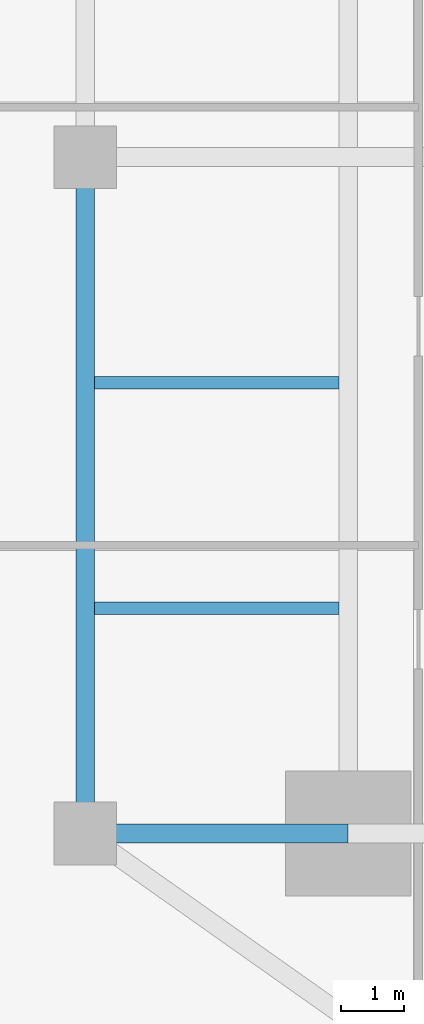
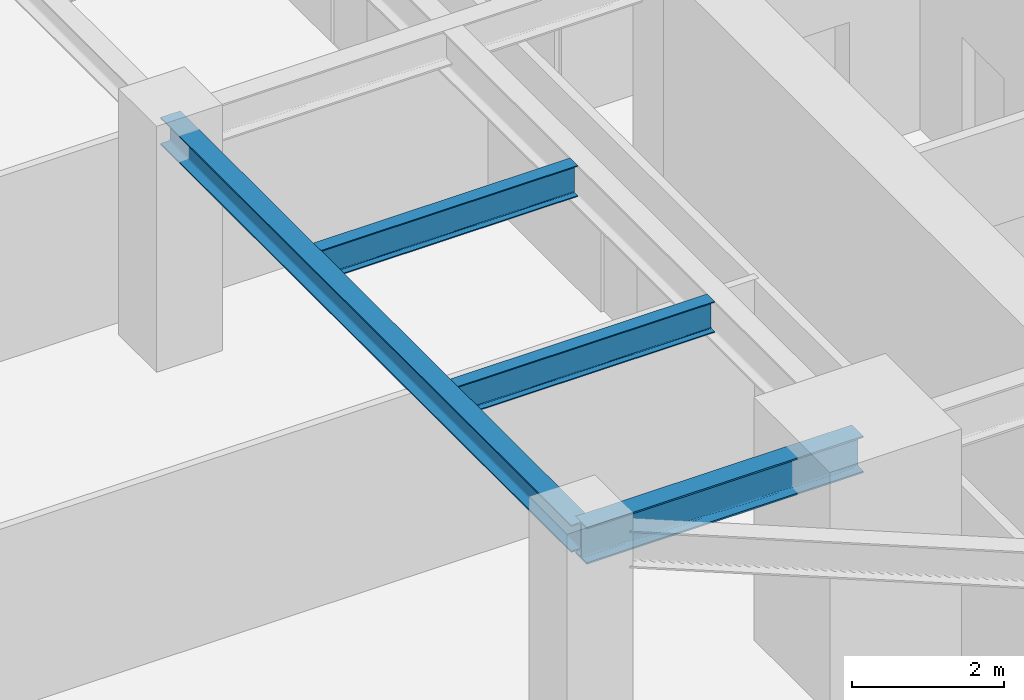
# One storey, part 7 of 27: 4 beams.
"""IFC4 building model written with IfcOpenShell, lengths in metres."""

import ifcopenshell
import ifcopenshell.guid

model = None  # the IFC model being written
_history = None  # IfcOwnerHistory: only IFC2X3 demands one
_inside = {}  # id of a spatial element -> (the spatial element, [elements in it])
_under = {}  # id of a project, library or spatial element -> (it, [spatial elements below it])
_declared = {}  # id of a project -> (the project, [libraries it declares])
_typed = {}  # id of a type object -> (the type object, [elements of that type])
_made_of = {}  # id of a material, layer set ... -> (it, [elements and type objects made of it])


def new_model(schema):
    """Start an empty IFC model of exactly this schema.

    Asked for "IFC4X3", IfcOpenShell would pick the latest addendum, in which some entities
    have other attributes; the version numbers below select the first issue.
    IFC2X3 requires an IfcOwnerHistory on every rooted entity: one is made here for all.
    """
    global model, _history
    if schema == "IFC4X3":
        model = ifcopenshell.file(schema_version=(4, 3, 0, 0))
    else:
        model = ifcopenshell.file(schema=schema)
    _inside.clear()
    _under.clear()
    _declared.clear()
    _typed.clear()
    _made_of.clear()
    _history = None
    if model.schema == "IFC2X3":
        org = make("IfcOrganization", Name="unknown")
        user = make(
            "IfcPersonAndOrganization",
            ThePerson=make("IfcPerson", FamilyName="unknown"),
            TheOrganization=org,
        )
        app = make(
            "IfcApplication",
            ApplicationDeveloper=org,
            Version="unknown",
            ApplicationFullName="unknown",
            ApplicationIdentifier="unknown",
        )
        _history = make(
            "IfcOwnerHistory",
            OwningUser=user,
            OwningApplication=app,
            ChangeAction="ADDED",
            CreationDate=0,
        )
    return model


def make(cls, **values):
    """One entity of the class cls with the attributes given. An attribute that is None is left unset."""
    return model.create_entity(
        cls, **{name: value for name, value in values.items() if value is not None}
    )


def rooted(cls, **values):
    """An entity with a GlobalId (a new one), such as an element, a storey or a relation."""
    return make(cls, GlobalId=ifcopenshell.guid.new(), OwnerHistory=_history, **values)


def si_unit(unit_type, name, prefix=None):
    """IfcSIUnit, for example si_unit("LENGTHUNIT", "METRE", prefix="MILLI")."""
    return make("IfcSIUnit", UnitType=unit_type, Prefix=prefix, Name=name)


def assignment(units):
    """IfcUnitAssignment: the units of a project."""
    return None if units is None else make("IfcUnitAssignment", Units=units)


def point(xyz):
    """IfcCartesianPoint."""
    return None if xyz is None else make("IfcCartesianPoint", Coordinates=xyz)


def direction(xyz):
    """IfcDirection."""
    return None if xyz is None else make("IfcDirection", DirectionRatios=xyz)


def frame(location, z_axis=None, x_axis=None):
    """IfcAxis2Placement3D, a coordinate frame: its origin and axes. An axis left out is left unset."""
    return make(
        "IfcAxis2Placement3D",
        Location=point(location),
        Axis=direction(z_axis),
        RefDirection=direction(x_axis),
    )


def frame_2d(location, x_axis=None):
    """IfcAxis2Placement2D, a coordinate frame in the plane: its origin and x axis."""
    return make(
        "IfcAxis2Placement2D", Location=point(location), RefDirection=direction(x_axis)
    )


def origin():
    """The frame at (0, 0, 0) with its axes left unset."""
    return frame((0.0, 0.0, 0.0))


def origin_2d():
    """The frame at (0, 0) in the plane with its x axis left unset."""
    return frame_2d((0.0, 0.0))


def place(relative_to, where):
    """IfcLocalPlacement: puts the frame where relative to a parent placement (None: the world)."""
    return make(
        "IfcLocalPlacement", PlacementRelTo=relative_to, RelativePlacement=where
    )


def context(
    kind, dimensions, precision=None, world=None, true_north=None, identifier=None
):
    """IfcGeometricRepresentationContext, for example the 3D "Model" context."""
    return make(
        "IfcGeometricRepresentationContext",
        ContextIdentifier=identifier,
        ContextType=kind,
        CoordinateSpaceDimension=dimensions,
        Precision=precision,
        WorldCoordinateSystem=world,
        TrueNorth=true_north,
    )


def subcontext(parent, identifier, kind, view, scale=None):
    """IfcGeometricRepresentationSubContext, for example "Body" below "Model"."""
    return make(
        "IfcGeometricRepresentationSubContext",
        ContextIdentifier=identifier,
        ContextType=kind,
        ParentContext=parent,
        TargetScale=scale,
        TargetView=view,
    )


def project(units=None, contexts=None):
    """IfcProject with its units and contexts."""
    return rooted(
        "IfcProject",
        Name="project",
        RepresentationContexts=contexts,
        UnitsInContext=assignment(units),
    )


def spatial(cls, under=None, at=None, **own):
    """A site, building, storey or space (cls), placed at a placement, below another one or the project."""
    s = rooted(cls, ObjectPlacement=at, **own)
    if under is not None:
        _under.setdefault(under.id(), (under, []))[1].append(s)
    return s


def profile(cls, at=None, kind="AREA", **sizes):
    """A parametric profile (cls). Its sizes go by their IFC names, for example OverallWidth=200.0."""
    return make(cls, ProfileType=kind, Position=at, **sizes)


def i_section(**sizes):
    """IfcIShapeProfileDef."""
    return profile("IfcIShapeProfileDef", **sizes)


def extrude(swept, where, along, depth):
    """IfcExtrudedAreaSolid: the profile swept, set in the frame where, extruded along a direction by depth."""
    return make(
        "IfcExtrudedAreaSolid",
        SweptArea=swept,
        Position=where,
        ExtrudedDirection=direction(along),
        Depth=depth,
    )


def shape(context_of_items, identifier, shape_type, items):
    """IfcShapeRepresentation: the items that make up one representation, for example the "Body"."""
    return make(
        "IfcShapeRepresentation",
        ContextOfItems=context_of_items,
        RepresentationIdentifier=identifier,
        RepresentationType=shape_type,
        Items=items,
    )


def source(mapping_origin, context_of_items, identifier, shape_type, items):
    """IfcRepresentationMap: a shape defined once, which mapped items show again and again."""
    return make(
        "IfcRepresentationMap",
        MappingOrigin=mapping_origin,
        MappedRepresentation=shape(context_of_items, identifier, shape_type, items),
    )


def transform(
    local_origin,
    x_axis=None,
    y_axis=None,
    z_axis=None,
    scale=None,
    scale2=None,
    scale3=None,
    uniform=True,
):
    """IfcCartesianTransformationOperator3D, or its non-uniform kind. x_axis, y_axis, z_axis: its Axis1, 2, 3."""
    if uniform:
        return make(
            "IfcCartesianTransformationOperator3D",
            Axis1=direction(x_axis),
            Axis2=direction(y_axis),
            LocalOrigin=point(local_origin),
            Scale=scale,
            Axis3=direction(z_axis),
        )
    return make(
        "IfcCartesianTransformationOperator3DnonUniform",
        Axis1=direction(x_axis),
        Axis2=direction(y_axis),
        LocalOrigin=point(local_origin),
        Scale=scale,
        Axis3=direction(z_axis),
        Scale2=scale2,
        Scale3=scale3,
    )


def mapped(mapping_source, mapping_target):
    """IfcMappedItem: shows the shape of a source again, moved by a transform."""
    return make(
        "IfcMappedItem", MappingSource=mapping_source, MappingTarget=mapping_target
    )


def material(Name=None, Category=None):
    """IfcMaterial."""
    return make("IfcMaterial", Name=Name, Category=Category)


def material_profile(
    of_material, cross_section, Name=None, Category=None, Priority=None
):
    """IfcMaterialProfile: a cross section and its material."""
    return make(
        "IfcMaterialProfile",
        Name=Name,
        Material=of_material,
        Profile=cross_section,
        Priority=Priority,
        Category=Category,
    )


def profile_set(profiles, Name=None, composite=None):
    """IfcMaterialProfileSet."""
    return make(
        "IfcMaterialProfileSet",
        Name=Name,
        MaterialProfiles=profiles,
        CompositeProfile=composite,
    )


def made_of(thing, what):
    """Note that an element or type object is made of a material, layer set ...; save() writes the relation."""
    if what is not None:
        _made_of.setdefault(what.id(), (what, []))[1].append(thing)
    return thing


def type_object(cls, material=None, **own):
    """A type object (cls), such as IfcWallType, which elements share."""
    return made_of(rooted(cls, **own), material)


def type_shapes(of_type, sources):
    """Give a type object the sources (RepresentationMaps) that its elements show as mapped items."""
    of_type.RepresentationMaps = sources


def element(
    cls,
    number,
    at=None,
    inside=None,
    cuts=None,
    type_object=None,
    material=None,
    context=None,
    identifier="Body",
    shape_type=None,
    held_by="IfcProductDefinitionShape",
    body=None,
    shapes=None,
    **own,
):
    """One element of the class cls, such as IfcWall. Its Tag is "e" and its number.

    at: its placement. inside: the storey or other place that contains it. cuts: it is an
    opening in that element (IfcRelVoidsElement). A single representation is given by context,
    identifier, shape_type and body (its items); several are given by shapes. held_by: the class
    of the entity that holds the representations. save() writes the other relations.
    """
    e = rooted(cls, Tag="e%d" % number, ObjectPlacement=at, **own)
    if body is not None:
        shapes = [shape(context, identifier, shape_type, body)]
    if shapes is not None:
        e.Representation = make(held_by, Representations=shapes)
    if inside is not None:
        _inside.setdefault(inside.id(), (inside, []))[1].append(e)
    if cuts is not None:
        rooted(
            "IfcRelVoidsElement", RelatingBuildingElement=cuts, RelatedOpeningElement=e
        )
    if type_object is not None:
        _typed.setdefault(type_object.id(), (type_object, []))[1].append(e)
    return made_of(e, material)


def aggregate(whole, parts):
    """IfcRelAggregates: a whole, such as a stair, and the parts it consists of."""
    return rooted("IfcRelAggregates", RelatingObject=whole, RelatedObjects=parts)


def save(model, path):
    """Write the relations noted so far, then the file.

    IfcRelAggregates (storeys below a building ...), IfcRelContainedInSpatialStructure (elements
    in a storey), IfcRelDefinesByType, IfcRelAssociatesMaterial and IfcRelDeclares: one each for
    every whole, place, type object, material and project.
    """
    for whole, parts in _under.values():
        aggregate(whole, parts)
    for where, things in _inside.values():
        rooted(
            "IfcRelContainedInSpatialStructure",
            RelatedElements=things,
            RelatingStructure=where,
        )
    for kind, things in _typed.values():
        rooted("IfcRelDefinesByType", RelatedObjects=things, RelatingType=kind)
    for what, things in _made_of.values():
        rooted("IfcRelAssociatesMaterial", RelatedObjects=things, RelatingMaterial=what)
    for by, libraries in _declared.values():
        rooted("IfcRelDeclares", RelatingContext=by, RelatedDefinitions=libraries)
    model.write(path)


model = new_model("IFC4")

# Units and contexts
model_context = context("Model", 3, precision=1e-05, world=origin(), true_north=direction((0.0, 1.0)))
body_context = subcontext(model_context, "Body", "Model", "MODEL_VIEW")
ifc_project = project(units=[si_unit("LENGTHUNIT", "METRE"), si_unit("AREAUNIT", "SQUARE_METRE"), si_unit("VOLUMEUNIT", "CUBIC_METRE"), si_unit("PLANEANGLEUNIT", "RADIAN"), si_unit("MASSUNIT", "GRAM", prefix="KILO")], contexts=[model_context])

# Site, building, storey
site_placement = place(None, origin())
site = spatial("IfcSite", under=ifc_project, at=site_placement, CompositionType="ELEMENT")
building_placement = place(site_placement, origin())
building = spatial("IfcBuilding", under=site, at=building_placement, Name="Krantzveldt Concourse Tower", CompositionType="ELEMENT")
storey_placement = place(building_placement, frame((0.0, 0.0, 86.10009765625)))
storey = spatial("IfcBuildingStorey", under=building, at=storey_placement, Name="L20", CompositionType="ELEMENT", Elevation=86.10009765625)

# Beams
ifc_material = material(Name="Steel S355JR", Category="steel")
ifc_material_profile_1 = material_profile(ifc_material, i_section(OverallWidth=0.300048828125, OverallDepth=0.43994140625, WebThickness=0.011474609375, FlangeThickness=0.02099609375, FilletRadius=0.027099609375, at=origin_2d()), Name="Steel S355JR", Category="steel")
ifc_profile_set_1 = profile_set([ifc_material_profile_1], Name="Steel S355JR - HEA 450")
beam_type_1 = type_object("IfcBeamType", Name="BM-SP-HEA450", PredefinedType="SPANDREL", material=ifc_profile_set_1)
shared_shape_1 = source(origin(), body_context, "Body", "SweptSolid", [
    extrude(i_section(OverallWidth=0.300048828125, OverallDepth=0.43994140625, WebThickness=0.011474609375, FlangeThickness=0.02099609375, FilletRadius=0.027099609375, at=origin_2d()), origin(), (0.0, 0.0, 1.0), 10.800048828125),
])
type_shapes(beam_type_1, [shared_shape_1])
beam_1_placement = place(storey_placement, frame((21.0, 15.89990234375, 3.449951171875), z_axis=(0.0, 1.0, 0.0), x_axis=(-1.0, 0.0, 0.0)))
element("IfcBeam", 1, at=beam_1_placement, inside=storey, type_object=beam_type_1, Name="L20 Tower Girder SP-R01", PredefinedType="SPANDREL", context=body_context, shape_type="MappedRepresentation", body=[
    mapped(shared_shape_1, transform((0.0, 0.0, 0.0), x_axis=(1.0, 0.0, 0.0), y_axis=(0.0, 1.0, 0.0), z_axis=(0.0, 0.0, 1.0), scale=1.0)),
])
ifc_material_profile_2 = material_profile(ifc_material, i_section(OverallWidth=0.300048828125, OverallDepth=0.590087890625, WebThickness=0.012939453125, FlangeThickness=0.02490234375, FilletRadius=0.027099609375, at=origin_2d()), Name="Steel S355JR", Category="steel")
ifc_profile_set_2 = profile_set([ifc_material_profile_2], Name="Steel S355JR - HEA 600")
beam_type_2 = type_object("IfcBeamType", Name="BM-B-HEA600", PredefinedType="BEAM", material=ifc_profile_set_2)
shared_shape_2 = source(origin(), body_context, "Body", "SweptSolid", [
    extrude(i_section(OverallWidth=0.300048828125, OverallDepth=0.590087890625, WebThickness=0.012939453125, FlangeThickness=0.02490234375, FilletRadius=0.027099609375, at=origin_2d()), origin(), (0.0, 0.0, 1.0), 4.199951171875),
])
type_shapes(beam_type_2, [shared_shape_2])
beam_2_placement = place(storey_placement, frame((21.0, 15.89990234375, 3.375), z_axis=(1.0, 0.0, 0.0), x_axis=(0.0, 1.0, 0.0)))
element("IfcBeam", 2, at=beam_2_placement, inside=storey, type_object=beam_type_2, Name="L20 Tower Girder BR-RL1", PredefinedType="BEAM", context=body_context, shape_type="MappedRepresentation", body=[
    mapped(shared_shape_2, transform((0.0, 0.0, 0.0), x_axis=(1.0, 0.0, 0.0), y_axis=(0.0, 1.0, 0.0), z_axis=(0.0, 0.0, 1.0), scale=1.0)),
])
ifc_material_profile_3 = material_profile(ifc_material, i_section(OverallWidth=0.199951171875, OverallDepth=0.5, WebThickness=0.01025390625, FlangeThickness=0.01611328125, FilletRadius=0.02099609375, at=origin_2d()), Name="Steel S355JR", Category="steel")
ifc_profile_set_3 = profile_set([ifc_material_profile_3], Name="Steel S355JR - IPE 500")
beam_type_3 = type_object("IfcBeamType", Name="BM-J-IPE500", PredefinedType="JOIST", material=ifc_profile_set_3)
shared_shape_3 = source(origin(), body_context, "Body", "SweptSolid", [
    extrude(i_section(OverallWidth=0.199951171875, OverallDepth=0.5, WebThickness=0.01025390625, FlangeThickness=0.01611328125, FilletRadius=0.02099609375, at=origin_2d()), origin(), (0.0, 0.0, 1.0), 3.900146484375),
])
type_shapes(beam_type_3, [shared_shape_3])
for number, where, z_axis, x_axis, name in (
    (3, (21.14990234375, 19.5, 3.419921875), (1.0, 0.0, 0.0), (0.0, 1.0, 0.0), "L20 Secondary Floor Joist JW-1"),
    (4, (21.14990234375, 23.10009765625, 3.419921875), (1.0, 0.0, 0.0), (0.0, 1.0, 0.0), "L20 Secondary Floor Joist JW-2"),
):
    element("IfcBeam", number, at=place(storey_placement, frame(where, z_axis=z_axis, x_axis=x_axis)), inside=storey, type_object=beam_type_3, Name=name, PredefinedType="JOIST", context=body_context, shape_type="MappedRepresentation", body=[
        mapped(shared_shape_3, transform((0.0, 0.0, 0.0), x_axis=(1.0, 0.0, 0.0), y_axis=(0.0, 1.0, 0.0), z_axis=(0.0, 0.0, 1.0), scale=1.0)),
    ])

save(model, "model.ifc")
